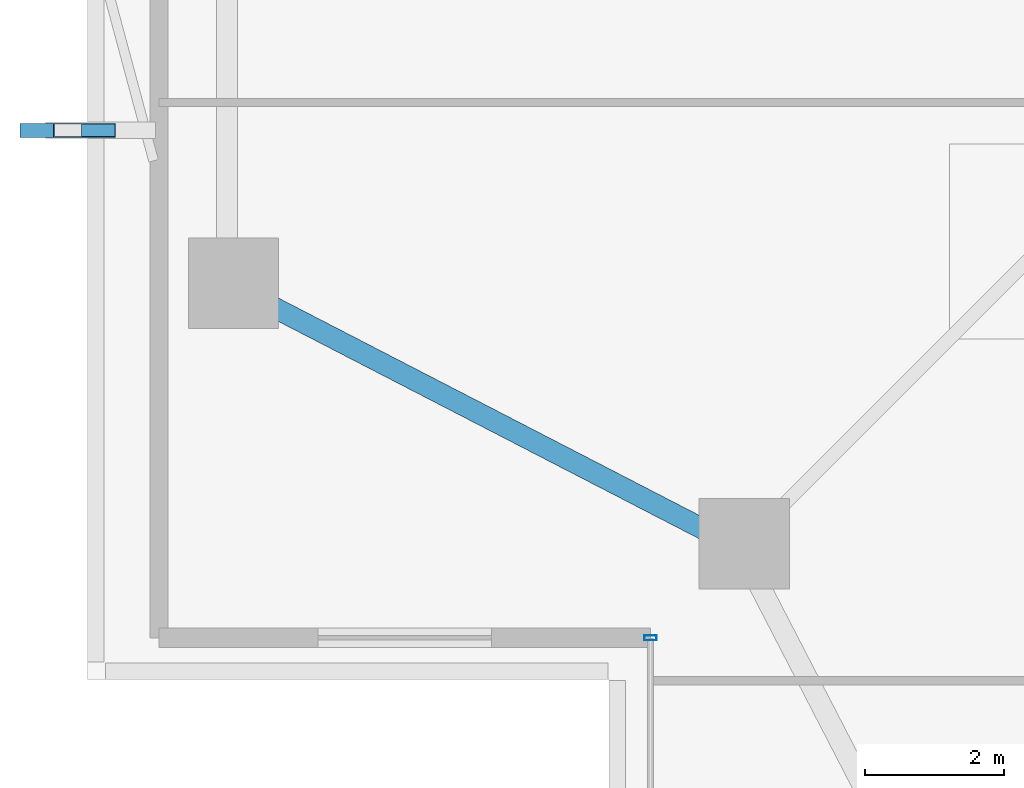
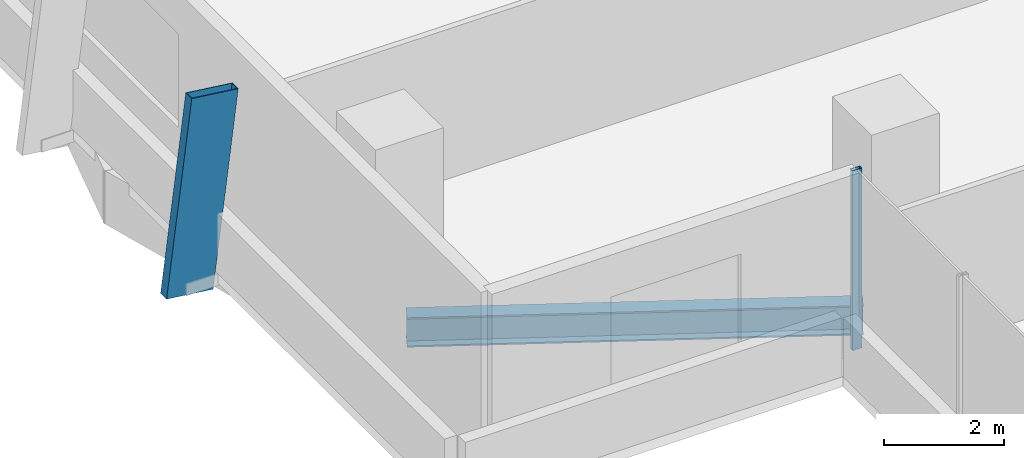
# One storey, part 3 of 34: 2 members, 1 beam, 1 element without a shape of its own.
"""IFC4 building model written with IfcOpenShell, lengths in metres."""

from ifc_helpers import new_model, si_unit, direction, frame, origin, origin_2d, place, context, subcontext, project, spatial, hollow_rectangle, i_section, extrude, material, layer, layer_set, material_profile, profile_set, type_object, element, aggregate, save


model = new_model("IFC4")

# Units and contexts
model_context = context("Model", 3, precision=1e-05, world=origin(), true_north=direction((0.0, 1.0)))
body_context = subcontext(model_context, "Body", "Model", "MODEL_VIEW")
ifc_project = project(units=[si_unit("LENGTHUNIT", "METRE"), si_unit("AREAUNIT", "SQUARE_METRE"), si_unit("VOLUMEUNIT", "CUBIC_METRE"), si_unit("PLANEANGLEUNIT", "RADIAN"), si_unit("MASSUNIT", "GRAM", prefix="KILO")], contexts=[model_context])

# Site, building, storey
site_placement = place(None, origin())
site = spatial("IfcSite", under=ifc_project, at=site_placement, CompositionType="ELEMENT")
building_placement = place(site_placement, origin())
building = spatial("IfcBuilding", under=site, at=building_placement, Name="Belovzor Exchange Tower", CompositionType="ELEMENT")
storey_placement = place(building_placement, frame((0.0, 0.0, 113.39990234375)))
storey = spatial("IfcBuildingStorey", under=building, at=storey_placement, Name="L27", CompositionType="ELEMENT", Elevation=113.39990234375)

# Member
ifc_material_1 = material(Name="Extruded Architectural Terracotta on Steel S355 Carrier", Category="masonry")
ifc_material_profile_1 = material_profile(ifc_material_1, hollow_rectangle(XDim=0.199951171875, YDim=0.89990234375, WallThickness=0.011962890625, at=origin_2d()))
ifc_profile_set_1 = profile_set([ifc_material_profile_1], Name="Extruded Architectural Terracotta on Steel S355 Carrier")
member_type_1 = type_object("IfcMemberType", Name="Sweeping Terracotta Baguette Fin Assembly 1250", PredefinedType="USERDEFINED", material=ifc_profile_set_1)
member_1_placement = place(storey_placement, frame((1.27490234375, 17.199951171875, -0.25), z_axis=(0.122941295572, 0.0, 0.992413944805), x_axis=(0.0, 1.0, 0.0)))
element("IfcMember", 1, at=member_1_placement, inside=storey, type_object=member_type_1, Name="FIN-TC125 Terracotta Facade Fin L27 W1", ObjectType="FIN", PredefinedType="USERDEFINED", context=body_context, shape_type="SweptSolid", body=[
    extrude(hollow_rectangle(XDim=0.199951171875, YDim=0.89990234375, WallThickness=0.011962890625, at=origin_2d()), origin(), (0.0, 0.0, 1.0), 3.929931640625),
])

# Curtain wall, member
ifc_material_2 = material(Name="Anodised Aluminium Framing", Category="aluminium")
ifc_layer = layer(ifc_material_2, 0.195068359375)
ifc_layer_set = layer_set([ifc_layer], Name="Anodised Aluminium Framing")
curtain_wall_type = type_object("IfcCurtainWallType", Name="Notched Re-Entrant Corner Unitised Curtain Wall", PredefinedType="NOTDEFINED", material=ifc_layer_set)
curtain_wall_placement = place(storey_placement, origin())
curtain_wall = element("IfcCurtainWall", 2, at=curtain_wall_placement, inside=storey, type_object=curtain_wall_type, Name="CW5 Notched Re-Entrant Corner Unitised Curtain Wall L27", PredefinedType="NOTDEFINED")
ifc_material_3 = material(Name="Steel S355", Category="steel")
ifc_material_profile_2 = material_profile(ifc_material_3, hollow_rectangle(XDim=0.074951171875, YDim=0.179931640625, WallThickness=0.0048828125, at=origin_2d()))
ifc_profile_set_2 = profile_set([ifc_material_profile_2], Name="Steel S355")
member_type_2 = type_object("IfcMemberType", Name="Thermally Broken Curtain Wall Mullion 180x75", PredefinedType="MULLION", material=ifc_profile_set_2)
member_2_placement = place(storey_placement, frame((9.89990234375, 9.89990234375, 0.0), z_axis=(0.0, 0.0, 1.0), x_axis=(0.0, 1.0, 0.0)))
member_2 = element("IfcMember", 3, at=member_2_placement, type_object=member_type_2, Name="CW-M180 Curtain Wall Mullion 3", PredefinedType="MULLION", context=body_context, shape_type="SweptSolid", body=[
    extrude(hollow_rectangle(XDim=0.074951171875, YDim=0.179931640625, WallThickness=0.0048828125, at=origin_2d()), origin(), (0.0, 0.0, 1.0), 3.650146484375),
])
aggregate(curtain_wall, [member_2])

# Beam
ifc_material_4 = material(Name="Steel S355", Category="steel")
ifc_material_profile_3 = material_profile(ifc_material_4, i_section(OverallWidth=0.300048828125, OverallDepth=0.60009765625, WebThickness=0.015380859375, FlangeThickness=0.030029296875, at=origin_2d()))
ifc_profile_set_3 = profile_set([ifc_material_profile_3], Name="Steel S355")
beam_type = type_object("IfcBeamType", Name="Zone 2 Primary Perimeter Girder HEB 600", PredefinedType="BEAM", material=ifc_profile_set_3)
beam_placement = place(storey_placement, frame((4.1259765625, 14.8359375, -0.5498046875), z_axis=(0.888536923907, -0.45880511642, 0.0), x_axis=(0.45880511642, 0.888536923907, 0.0)))
element("IfcBeam", 4, at=beam_placement, inside=storey, type_object=beam_type, Name="FG-Z2 Zone 2 Primary Perimeter Girder HEB 600", PredefinedType="BEAM", context=body_context, shape_type="SweptSolid", body=[
    extrude(i_section(OverallWidth=0.300048828125, OverallDepth=0.60009765625, WebThickness=0.015380859375, FlangeThickness=0.030029296875, at=origin_2d()), origin(), (0.0, 0.0, 1.0), 7.59130859375),
])

save(model, "model.ifc")
